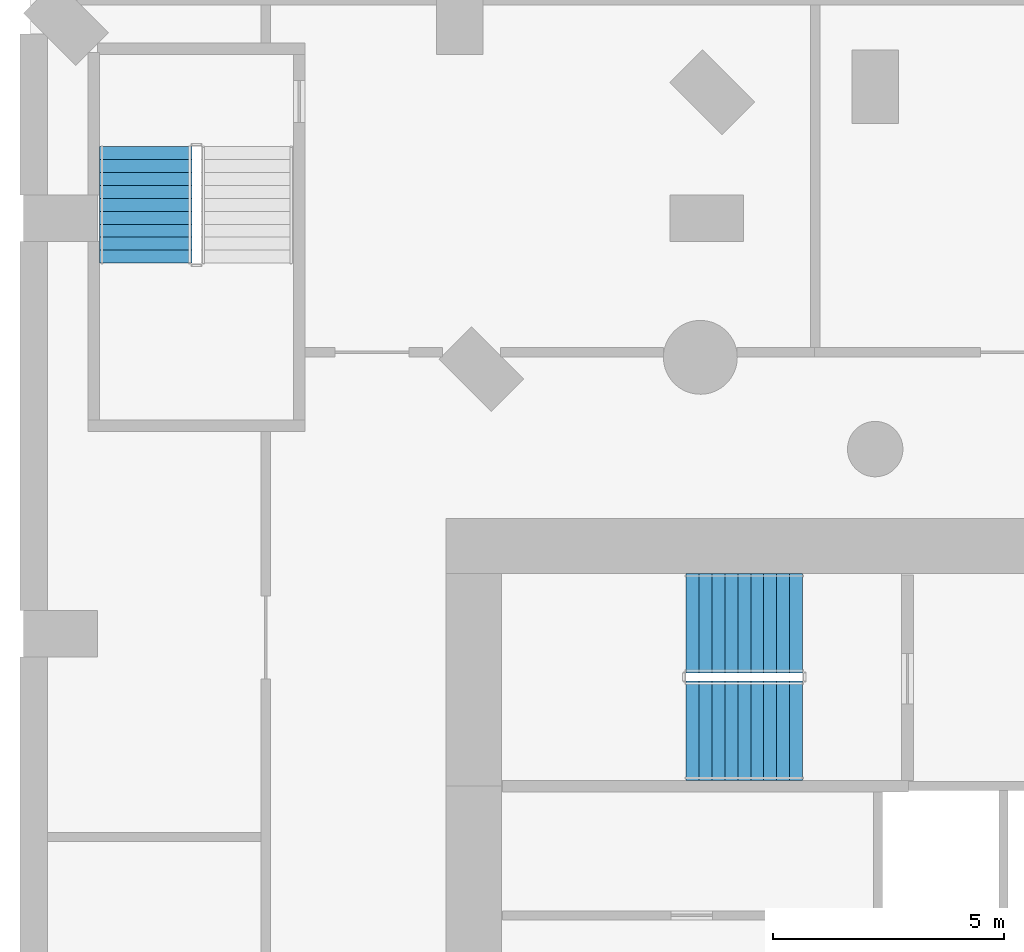
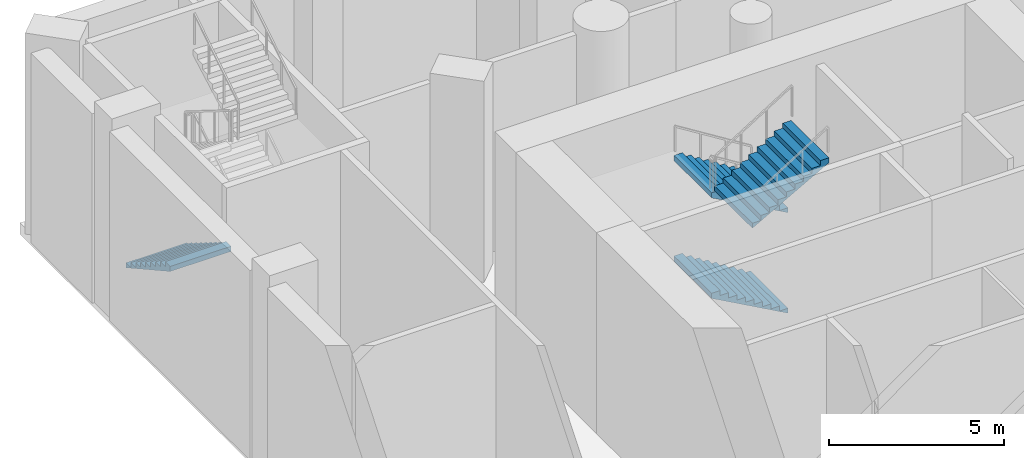
# One storey, part 14 of 21: 4 stair flights, 2 elements without a shape of their own.
"""IFC4 building model written with IfcOpenShell, lengths in metres."""

from ifc_helpers import new_model, si_unit, direction, frame, origin, place, context, subcontext, project, spatial, triangles, material, type_object, element, aggregate, save


model = new_model("IFC4")

# Units and contexts
model_context = context("Model", 3, precision=1e-05, world=origin(), true_north=direction((0.0, 1.0)))
body_context = subcontext(model_context, "Body", "Model", "MODEL_VIEW")
ifc_project = project(units=[si_unit("LENGTHUNIT", "METRE"), si_unit("AREAUNIT", "SQUARE_METRE"), si_unit("VOLUMEUNIT", "CUBIC_METRE"), si_unit("PLANEANGLEUNIT", "RADIAN"), si_unit("MASSUNIT", "GRAM", prefix="KILO")], contexts=[model_context])

# Site, building, storey
site_placement = place(None, origin())
site = spatial("IfcSite", under=ifc_project, at=site_placement, CompositionType="ELEMENT")
building_placement = place(site_placement, origin())
building = spatial("IfcBuilding", under=site, at=building_placement, Name="Cypress Arch Tower", CompositionType="ELEMENT")
storey_placement = place(building_placement, frame((0.0, 0.0, 29.0)))
storey = spatial("IfcBuildingStorey", under=building, at=storey_placement, Name="L03", CompositionType="ELEMENT", Elevation=29.0)

# Stair, stair flight
ifc_material_1 = material(Name="Concrete C40/50", Category="concrete")
stair_type_1 = type_object("IfcStairType", Name="Exit stair ES1750-200", PredefinedType="HALF_TURN_STAIR", material=ifc_material_1)
stair_1_placement = place(storey_placement, origin())
stair_1 = element("IfcStair", 1, at=stair_1_placement, inside=storey, type_object=stair_type_1, Name="L03 Exit stair P2", PredefinedType="HALF_TURN_STAIR")
ifc_material_2 = material(Name="Concrete C40/50", Category="concrete")
stair_flight_type_1 = type_object("IfcStairFlightType", Name="Exit stair flight ES1750-200", PredefinedType="STRAIGHT", material=ifc_material_2)
stair_flight_1_placement = place(storey_placement, frame((-36.5, 24.050048828125, 0.0), z_axis=(0.0, 0.0, 1.0), x_axis=(0.0, -1.0, 0.0)))
stair_flight_1 = element("IfcStairFlight", 2, at=stair_flight_1_placement, type_object=stair_flight_type_1, Name="P2 flight 1", NumberOfRisers=10, NumberOfTreads=9, PredefinedType="STRAIGHT", RiserHeight=0.175, TreadLength=0.28, context=body_context, shape_type="Tessellation", body=[
    triangles([(0.0, -1.0, 0.0), (0.000244140625, -1.0, 0.034912109375), (0.00048828125, -1.0, 0.070068359375), (0.00048828125, -1.0, 0.10498046875), (0.000244140625, -1.0, 0.14013671875), (0.0, -1.0, 0.175048828125), (0.280029296875, -1.0, 0.175048828125), (0.280029296875, -1.0, 0.35009765625), (0.56005859375, -1.0, 0.35009765625), (0.56005859375, -1.0, 0.52490234375), (0.840087890625, -1.0, 0.52490234375), (0.840087890625, -1.0, 0.699951171875), (1.1201171875, -1.0, 0.699951171875), (1.1201171875, -1.0, 0.875), (1.39990234375, -1.0, 0.875), (1.39990234375, -1.0, 1.050048828125), (1.679931640625, -1.0, 1.050048828125), (1.679931640625, -1.0, 1.22509765625), (1.9599609375, -1.0, 1.22509765625), (1.9599609375, -1.0, 1.39990234375), (2.239990234375, -1.0, 1.39990234375), (2.239990234375, -1.0, 1.574951171875), (2.52001953125, -1.0, 1.574951171875), (2.519775390625, -1.0, 1.53955078125), (2.51953125, -1.0, 1.504150390625), (2.51953125, -1.0, 1.468994140625), (2.519775390625, -1.0, 1.43359375), (2.52001953125, -1.0, 1.398193359375), (2.52001953125, 1.0, 1.398193359375), (2.519775390625, 1.0, 1.43359375), (2.51953125, 1.0, 1.468994140625), (2.51953125, 1.0, 1.504150390625), (2.519775390625, 1.0, 1.53955078125), (2.52001953125, 1.0, 1.574951171875), (2.239990234375, 1.0, 1.574951171875), (2.239990234375, 1.0, 1.39990234375), (1.9599609375, 1.0, 1.39990234375), (1.9599609375, 1.0, 1.22509765625), (1.679931640625, 1.0, 1.22509765625), (1.679931640625, 1.0, 1.050048828125), (1.39990234375, 1.0, 1.050048828125), (1.39990234375, 1.0, 0.875), (1.1201171875, 1.0, 0.875), (1.1201171875, 1.0, 0.699951171875), (0.840087890625, 1.0, 0.699951171875), (0.840087890625, 1.0, 0.52490234375), (0.56005859375, 1.0, 0.52490234375), (0.56005859375, 1.0, 0.35009765625), (0.280029296875, 1.0, 0.35009765625), (0.280029296875, 1.0, 0.175048828125), (0.0, 1.0, 0.175048828125), (0.000244140625, 1.0, 0.14013671875), (0.00048828125, 1.0, 0.10498046875), (0.00048828125, 1.0, 0.070068359375), (0.000244140625, 1.0, 0.034912109375), (0.0, 1.0, 0.0), (2.519775390625, 0.0, 1.43359375), (2.52001953125, 0.0, 1.398193359375), (2.51953125, 0.0, 1.468994140625), (2.51953125, 0.0, 1.504150390625), (2.519775390625, 0.0, 1.53955078125), (2.52001953125, 0.0, 1.574951171875), (2.239990234375, 0.0, 1.574951171875), (2.239990234375, 0.0, 1.39990234375), (1.9599609375, 0.0, 1.39990234375), (1.9599609375, 0.0, 1.22509765625), (1.679931640625, 0.0, 1.22509765625), (1.679931640625, 0.0, 1.050048828125), (1.39990234375, 0.0, 1.050048828125), (1.39990234375, 0.0, 0.875), (1.1201171875, 0.0, 0.875), (1.1201171875, 0.0, 0.699951171875), (0.840087890625, 0.0, 0.699951171875), (0.840087890625, 0.0, 0.52490234375), (0.56005859375, 0.0, 0.52490234375), (0.56005859375, 0.0, 0.35009765625), (0.280029296875, 0.0, 0.35009765625), (0.280029296875, 0.0, 0.175048828125), (0.0, 0.0, 0.175048828125), (0.000244140625, 0.0, 0.14013671875), (0.00048828125, 0.0, 0.10498046875), (0.00048828125, 0.0, 0.070068359375), (0.000244140625, 0.0, 0.034912109375), (0.0, 0.0, 0.0)], [[28, 27, 22], [27, 26, 22], [26, 25, 22], [25, 24, 22], [24, 23, 22], [15, 14, 13], [19, 18, 17], [17, 16, 15], [13, 12, 11], [9, 8, 7], [6, 5, 7], [5, 4, 7], [4, 3, 7], [3, 2, 7], [2, 1, 7], [21, 20, 19], [11, 10, 9], [28, 22, 21], [28, 21, 19], [28, 19, 17], [28, 17, 15], [28, 15, 13], [28, 13, 11], [1, 28, 11], [11, 9, 7], [11, 7, 1], [29, 35, 30], [30, 35, 31], [31, 35, 32], [32, 35, 33], [33, 35, 34], [42, 44, 43], [38, 40, 39], [40, 42, 41], [44, 46, 45], [48, 50, 49], [51, 50, 52], [52, 50, 53], [53, 50, 54], [54, 50, 55], [55, 50, 56], [36, 38, 37], [46, 48, 47], [29, 36, 35], [29, 38, 36], [29, 40, 38], [29, 42, 40], [29, 44, 42], [29, 46, 44], [56, 46, 29], [46, 50, 48], [46, 56, 50], [58, 57, 27], [58, 27, 28], [29, 30, 57], [29, 57, 58], [57, 59, 26], [57, 26, 27], [30, 31, 59], [30, 59, 57], [59, 60, 25], [59, 25, 26], [31, 32, 60], [31, 60, 59], [60, 61, 24], [60, 24, 25], [32, 33, 61], [32, 61, 60], [61, 62, 23], [61, 23, 24], [33, 34, 62], [33, 62, 61], [62, 63, 22], [62, 22, 23], [34, 35, 63], [34, 63, 62], [63, 64, 21], [63, 21, 22], [35, 36, 64], [35, 64, 63], [64, 65, 20], [64, 20, 21], [36, 37, 65], [36, 65, 64], [65, 66, 19], [65, 19, 20], [37, 38, 66], [37, 66, 65], [66, 67, 18], [66, 18, 19], [38, 39, 67], [38, 67, 66], [67, 68, 17], [67, 17, 18], [39, 40, 68], [39, 68, 67], [68, 69, 16], [68, 16, 17], [40, 41, 69], [40, 69, 68], [69, 70, 15], [69, 15, 16], [41, 42, 70], [41, 70, 69], [70, 71, 14], [70, 14, 15], [42, 43, 71], [42, 71, 70], [71, 72, 13], [71, 13, 14], [43, 44, 72], [43, 72, 71], [72, 73, 12], [72, 12, 13], [44, 45, 73], [44, 73, 72], [73, 74, 11], [73, 11, 12], [45, 46, 74], [45, 74, 73], [74, 75, 10], [74, 10, 11], [46, 47, 75], [46, 75, 74], [75, 76, 9], [75, 9, 10], [47, 48, 76], [47, 76, 75], [76, 77, 8], [76, 8, 9], [48, 49, 77], [48, 77, 76], [77, 78, 7], [77, 7, 8], [49, 50, 78], [49, 78, 77], [78, 79, 6], [78, 6, 7], [50, 51, 79], [50, 79, 78], [79, 80, 5], [79, 5, 6], [51, 52, 80], [51, 80, 79], [80, 81, 4], [80, 4, 5], [52, 53, 81], [52, 81, 80], [81, 82, 3], [81, 3, 4], [53, 54, 82], [53, 82, 81], [82, 83, 2], [82, 2, 3], [54, 55, 83], [54, 83, 82], [83, 84, 1], [83, 1, 2], [55, 56, 84], [55, 84, 83], [84, 58, 28], [84, 28, 1], [56, 29, 58], [56, 58, 84]], closed=True),
])
aggregate(stair_1, [stair_flight_1])

# Stair, stair flights
ifc_material_3 = material(Name="Concrete C40/50", Category="concrete")
stair_type_2 = type_object("IfcStairType", Name="Exit stair ES1750-215", PredefinedType="HALF_TURN_STAIR", material=ifc_material_3)
stair_2_placement = place(storey_placement, origin())
stair_2 = element("IfcStair", 3, at=stair_2_placement, inside=storey, type_object=stair_type_2, Name="L03 Exit stair B", PredefinedType="HALF_TURN_STAIR")
ifc_material_4 = material(Name="Concrete C40/50", Category="concrete")
stair_flight_type_2 = type_object("IfcStairFlightType", Name="Exit stair flight ES1750-215", PredefinedType="STRAIGHT", material=ifc_material_4)
stair_flight_2_placement = place(storey_placement, frame((-22.27490234375, 13.72509765625, 0.0), z_axis=(0.0, 0.0, 1.0), x_axis=(-1.0, 0.0, 0.0)))
stair_flight_2 = element("IfcStairFlight", 4, at=stair_flight_2_placement, type_object=stair_flight_type_2, Name="B flight 1", NumberOfRisers=10, NumberOfTreads=9, PredefinedType="STRAIGHT", RiserHeight=0.175, TreadLength=0.28, context=body_context, shape_type="Tessellation", body=[
    triangles([(0.0, -1.074951171875, 0.0), (0.000244140625, -1.074951171875, 0.01953125), (0.000244140625, -1.074951171875, 0.038818359375), (0.00048828125, -1.074951171875, 0.058349609375), (0.00048828125, -1.074951171875, 0.077880859375), (0.00048828125, -1.074951171875, 0.09716796875), (0.00048828125, -1.074951171875, 0.11669921875), (0.000244140625, -1.074951171875, 0.13623046875), (0.000244140625, -1.074951171875, 0.155517578125), (0.0, -1.074951171875, 0.175048828125), (0.280029296875, -1.074951171875, 0.175048828125), (0.280029296875, -1.074951171875, 0.35009765625), (0.56005859375, -1.074951171875, 0.35009765625), (0.56005859375, -1.074951171875, 0.52490234375), (0.840087890625, -1.074951171875, 0.52490234375), (0.840087890625, -1.074951171875, 0.699951171875), (1.1201171875, -1.074951171875, 0.699951171875), (1.1201171875, -1.074951171875, 0.875), (1.39990234375, -1.074951171875, 0.875), (1.39990234375, -1.074951171875, 1.050048828125), (1.679931640625, -1.074951171875, 1.050048828125), (1.679931640625, -1.074951171875, 1.22509765625), (1.9599609375, -1.074951171875, 1.22509765625), (1.9599609375, -1.074951171875, 1.39990234375), (2.239990234375, -1.074951171875, 1.39990234375), (2.239990234375, -1.074951171875, 1.574951171875), (2.52001953125, -1.074951171875, 1.574951171875), (2.519775390625, -1.074951171875, 1.555419921875), (2.519775390625, -1.074951171875, 1.53564453125), (2.51953125, -1.074951171875, 1.51611328125), (2.51953125, -1.074951171875, 1.496337890625), (2.51953125, -1.074951171875, 1.476806640625), (2.51953125, -1.074951171875, 1.45703125), (2.519775390625, -1.074951171875, 1.4375), (2.519775390625, -1.074951171875, 1.417724609375), (2.52001953125, -1.074951171875, 1.398193359375), (2.52001953125, 1.074951171875, 1.398193359375), (2.519775390625, 1.074951171875, 1.417724609375), (2.519775390625, 1.074951171875, 1.4375), (2.51953125, 1.074951171875, 1.45703125), (2.51953125, 1.074951171875, 1.476806640625), (2.51953125, 1.074951171875, 1.496337890625), (2.51953125, 1.074951171875, 1.51611328125), (2.519775390625, 1.074951171875, 1.53564453125), (2.519775390625, 1.074951171875, 1.555419921875), (2.52001953125, 1.074951171875, 1.574951171875), (2.239990234375, 1.074951171875, 1.574951171875), (2.239990234375, 1.074951171875, 1.39990234375), (1.9599609375, 1.074951171875, 1.39990234375), (1.9599609375, 1.074951171875, 1.22509765625), (1.679931640625, 1.074951171875, 1.22509765625), (1.679931640625, 1.074951171875, 1.050048828125), (1.39990234375, 1.074951171875, 1.050048828125), (1.39990234375, 1.074951171875, 0.875), (1.1201171875, 1.074951171875, 0.875), (1.1201171875, 1.074951171875, 0.699951171875), (0.840087890625, 1.074951171875, 0.699951171875), (0.840087890625, 1.074951171875, 0.52490234375), (0.56005859375, 1.074951171875, 0.52490234375), (0.56005859375, 1.074951171875, 0.35009765625), (0.280029296875, 1.074951171875, 0.35009765625), (0.280029296875, 1.074951171875, 0.175048828125), (0.0, 1.074951171875, 0.175048828125), (0.000244140625, 1.074951171875, 0.155517578125), (0.000244140625, 1.074951171875, 0.13623046875), (0.00048828125, 1.074951171875, 0.11669921875), (0.00048828125, 1.074951171875, 0.09716796875), (0.00048828125, 1.074951171875, 0.077880859375), (0.00048828125, 1.074951171875, 0.058349609375), (0.000244140625, 1.074951171875, 0.038818359375), (0.000244140625, 1.074951171875, 0.01953125), (0.0, 1.074951171875, 0.0), (2.519775390625, 0.0, 1.417724609375), (2.52001953125, 0.0, 1.398193359375), (2.519775390625, 0.0, 1.4375), (2.51953125, 0.0, 1.45703125), (2.51953125, 0.0, 1.476806640625), (2.51953125, 0.0, 1.496337890625), (2.51953125, 0.0, 1.51611328125), (2.519775390625, 0.0, 1.53564453125), (2.519775390625, 0.0, 1.555419921875), (2.52001953125, 0.0, 1.574951171875), (2.239990234375, 0.0, 1.574951171875), (2.239990234375, 0.0, 1.39990234375), (1.9599609375, 0.0, 1.39990234375), (1.9599609375, 0.0, 1.22509765625), (1.679931640625, 0.0, 1.22509765625), (1.679931640625, 0.0, 1.050048828125), (1.39990234375, 0.0, 1.050048828125), (1.39990234375, 0.0, 0.875), (1.1201171875, 0.0, 0.875), (1.1201171875, 0.0, 0.699951171875), (0.840087890625, 0.0, 0.699951171875), (0.840087890625, 0.0, 0.52490234375), (0.56005859375, 0.0, 0.52490234375), (0.56005859375, 0.0, 0.35009765625), (0.280029296875, 0.0, 0.35009765625), (0.280029296875, 0.0, 0.175048828125), (0.0, 0.0, 0.175048828125), (0.000244140625, 0.0, 0.155517578125), (0.000244140625, 0.0, 0.13623046875), (0.00048828125, 0.0, 0.11669921875), (0.00048828125, 0.0, 0.09716796875), (0.00048828125, 0.0, 0.077880859375), (0.00048828125, 0.0, 0.058349609375), (0.000244140625, 0.0, 0.038818359375), (0.000244140625, 0.0, 0.01953125), (0.0, 0.0, 0.0)], [[36, 35, 26], [35, 34, 26], [34, 33, 26], [33, 32, 26], [32, 31, 26], [31, 30, 26], [30, 29, 26], [29, 28, 26], [28, 27, 26], [19, 18, 17], [23, 22, 21], [21, 20, 19], [17, 16, 15], [13, 12, 11], [10, 9, 11], [9, 8, 11], [8, 7, 11], [7, 6, 11], [6, 5, 11], [5, 4, 11], [4, 3, 11], [3, 2, 11], [2, 1, 11], [25, 24, 23], [15, 14, 13], [36, 26, 25], [36, 25, 23], [36, 23, 21], [36, 21, 19], [36, 19, 17], [36, 17, 15], [1, 36, 15], [15, 13, 11], [15, 11, 1], [37, 47, 38], [38, 47, 39], [39, 47, 40], [40, 47, 41], [41, 47, 42], [42, 47, 43], [43, 47, 44], [44, 47, 45], [45, 47, 46], [54, 56, 55], [50, 52, 51], [52, 54, 53], [56, 58, 57], [60, 62, 61], [63, 62, 64], [64, 62, 65], [65, 62, 66], [66, 62, 67], [67, 62, 68], [68, 62, 69], [69, 62, 70], [70, 62, 71], [71, 62, 72], [48, 50, 49], [58, 60, 59], [37, 48, 47], [37, 50, 48], [37, 52, 50], [37, 54, 52], [37, 56, 54], [37, 58, 56], [72, 58, 37], [58, 62, 60], [58, 72, 62], [74, 73, 35], [74, 35, 36], [37, 38, 73], [37, 73, 74], [73, 75, 34], [73, 34, 35], [38, 39, 75], [38, 75, 73], [75, 76, 33], [75, 33, 34], [39, 40, 76], [39, 76, 75], [76, 77, 32], [76, 32, 33], [40, 41, 77], [40, 77, 76], [77, 78, 31], [77, 31, 32], [41, 42, 78], [41, 78, 77], [78, 79, 30], [78, 30, 31], [42, 43, 79], [42, 79, 78], [79, 80, 29], [79, 29, 30], [43, 44, 80], [43, 80, 79], [80, 81, 28], [80, 28, 29], [44, 45, 81], [44, 81, 80], [81, 82, 27], [81, 27, 28], [45, 46, 82], [45, 82, 81], [82, 83, 26], [82, 26, 27], [46, 47, 83], [46, 83, 82], [83, 84, 25], [83, 25, 26], [47, 48, 84], [47, 84, 83], [84, 85, 24], [84, 24, 25], [48, 49, 85], [48, 85, 84], [85, 86, 23], [85, 23, 24], [49, 50, 86], [49, 86, 85], [86, 87, 22], [86, 22, 23], [50, 51, 87], [50, 87, 86], [87, 88, 21], [87, 21, 22], [51, 52, 88], [51, 88, 87], [88, 89, 20], [88, 20, 21], [52, 53, 89], [52, 89, 88], [89, 90, 19], [89, 19, 20], [53, 54, 90], [53, 90, 89], [90, 91, 18], [90, 18, 19], [54, 55, 91], [54, 91, 90], [91, 92, 17], [91, 17, 18], [55, 56, 92], [55, 92, 91], [92, 93, 16], [92, 16, 17], [56, 57, 93], [56, 93, 92], [93, 94, 15], [93, 15, 16], [57, 58, 94], [57, 94, 93], [94, 95, 14], [94, 14, 15], [58, 59, 95], [58, 95, 94], [95, 96, 13], [95, 13, 14], [59, 60, 96], [59, 96, 95], [96, 97, 12], [96, 12, 13], [60, 61, 97], [60, 97, 96], [97, 98, 11], [97, 11, 12], [61, 62, 98], [61, 98, 97], [98, 99, 10], [98, 10, 11], [62, 63, 99], [62, 99, 98], [99, 100, 9], [99, 9, 10], [63, 64, 100], [63, 100, 99], [100, 101, 8], [100, 8, 9], [64, 65, 101], [64, 101, 100], [101, 102, 7], [101, 7, 8], [65, 66, 102], [65, 102, 101], [102, 103, 6], [102, 6, 7], [66, 67, 103], [66, 103, 102], [103, 104, 5], [103, 5, 6], [67, 68, 104], [67, 104, 103], [104, 105, 4], [104, 4, 5], [68, 69, 105], [68, 105, 104], [105, 106, 3], [105, 3, 4], [69, 70, 106], [69, 106, 105], [106, 107, 2], [106, 2, 3], [70, 71, 107], [70, 107, 106], [107, 108, 1], [107, 1, 2], [71, 72, 108], [71, 108, 107], [108, 74, 36], [108, 36, 1], [72, 37, 74], [72, 74, 108]], closed=True),
])
stair_flight_3_placement = place(storey_placement, frame((-22.27490234375, 13.72509765625, 3.5), z_axis=(0.0, 0.0, 1.0), x_axis=(-1.0, 0.0, 0.0)))
stair_flight_3 = element("IfcStairFlight", 5, at=stair_flight_3_placement, type_object=stair_flight_type_2, Name="B flight 3", NumberOfRisers=10, NumberOfTreads=9, PredefinedType="STRAIGHT", RiserHeight=0.175, TreadLength=0.28, context=body_context, shape_type="Tessellation", body=[
    triangles([(0.0, -1.074951171875, 0.0), (0.000244140625, -1.074951171875, 0.01953125), (0.000244140625, -1.074951171875, 0.038818359375), (0.00048828125, -1.074951171875, 0.058349609375), (0.00048828125, -1.074951171875, 0.077880859375), (0.00048828125, -1.074951171875, 0.09716796875), (0.00048828125, -1.074951171875, 0.11669921875), (0.000244140625, -1.074951171875, 0.13623046875), (0.000244140625, -1.074951171875, 0.155517578125), (0.0, -1.074951171875, 0.175048828125), (0.280029296875, -1.074951171875, 0.175048828125), (0.280029296875, -1.074951171875, 0.35009765625), (0.56005859375, -1.074951171875, 0.35009765625), (0.56005859375, -1.074951171875, 0.52490234375), (0.840087890625, -1.074951171875, 0.52490234375), (0.840087890625, -1.074951171875, 0.699951171875), (1.1201171875, -1.074951171875, 0.699951171875), (1.1201171875, -1.074951171875, 0.875), (1.39990234375, -1.074951171875, 0.875), (1.39990234375, -1.074951171875, 1.050048828125), (1.679931640625, -1.074951171875, 1.050048828125), (1.679931640625, -1.074951171875, 1.22509765625), (1.9599609375, -1.074951171875, 1.22509765625), (1.9599609375, -1.074951171875, 1.39990234375), (2.239990234375, -1.074951171875, 1.39990234375), (2.239990234375, -1.074951171875, 1.574951171875), (2.52001953125, -1.074951171875, 1.574951171875), (2.519775390625, -1.074951171875, 1.555419921875), (2.519775390625, -1.074951171875, 1.53564453125), (2.51953125, -1.074951171875, 1.51611328125), (2.51953125, -1.074951171875, 1.496337890625), (2.51953125, -1.074951171875, 1.476806640625), (2.51953125, -1.074951171875, 1.45703125), (2.519775390625, -1.074951171875, 1.4375), (2.519775390625, -1.074951171875, 1.417724609375), (2.52001953125, -1.074951171875, 1.398193359375), (2.52001953125, 1.074951171875, 1.398193359375), (2.519775390625, 1.074951171875, 1.417724609375), (2.519775390625, 1.074951171875, 1.4375), (2.51953125, 1.074951171875, 1.45703125), (2.51953125, 1.074951171875, 1.476806640625), (2.51953125, 1.074951171875, 1.496337890625), (2.51953125, 1.074951171875, 1.51611328125), (2.519775390625, 1.074951171875, 1.53564453125), (2.519775390625, 1.074951171875, 1.555419921875), (2.52001953125, 1.074951171875, 1.574951171875), (2.239990234375, 1.074951171875, 1.574951171875), (2.239990234375, 1.074951171875, 1.39990234375), (1.9599609375, 1.074951171875, 1.39990234375), (1.9599609375, 1.074951171875, 1.22509765625), (1.679931640625, 1.074951171875, 1.22509765625), (1.679931640625, 1.074951171875, 1.050048828125), (1.39990234375, 1.074951171875, 1.050048828125), (1.39990234375, 1.074951171875, 0.875), (1.1201171875, 1.074951171875, 0.875), (1.1201171875, 1.074951171875, 0.699951171875), (0.840087890625, 1.074951171875, 0.699951171875), (0.840087890625, 1.074951171875, 0.52490234375), (0.56005859375, 1.074951171875, 0.52490234375), (0.56005859375, 1.074951171875, 0.35009765625), (0.280029296875, 1.074951171875, 0.35009765625), (0.280029296875, 1.074951171875, 0.175048828125), (0.0, 1.074951171875, 0.175048828125), (0.000244140625, 1.074951171875, 0.155517578125), (0.000244140625, 1.074951171875, 0.13623046875), (0.00048828125, 1.074951171875, 0.11669921875), (0.00048828125, 1.074951171875, 0.09716796875), (0.00048828125, 1.074951171875, 0.077880859375), (0.00048828125, 1.074951171875, 0.058349609375), (0.000244140625, 1.074951171875, 0.038818359375), (0.000244140625, 1.074951171875, 0.01953125), (0.0, 1.074951171875, 0.0), (2.519775390625, 0.0, 1.417724609375), (2.52001953125, 0.0, 1.398193359375), (2.519775390625, 0.0, 1.4375), (2.51953125, 0.0, 1.45703125), (2.51953125, 0.0, 1.476806640625), (2.51953125, 0.0, 1.496337890625), (2.51953125, 0.0, 1.51611328125), (2.519775390625, 0.0, 1.53564453125), (2.519775390625, 0.0, 1.555419921875), (2.52001953125, 0.0, 1.574951171875), (2.239990234375, 0.0, 1.574951171875), (2.239990234375, 0.0, 1.39990234375), (1.9599609375, 0.0, 1.39990234375), (1.9599609375, 0.0, 1.22509765625), (1.679931640625, 0.0, 1.22509765625), (1.679931640625, 0.0, 1.050048828125), (1.39990234375, 0.0, 1.050048828125), (1.39990234375, 0.0, 0.875), (1.1201171875, 0.0, 0.875), (1.1201171875, 0.0, 0.699951171875), (0.840087890625, 0.0, 0.699951171875), (0.840087890625, 0.0, 0.52490234375), (0.56005859375, 0.0, 0.52490234375), (0.56005859375, 0.0, 0.35009765625), (0.280029296875, 0.0, 0.35009765625), (0.280029296875, 0.0, 0.175048828125), (0.0, 0.0, 0.175048828125), (0.000244140625, 0.0, 0.155517578125), (0.000244140625, 0.0, 0.13623046875), (0.00048828125, 0.0, 0.11669921875), (0.00048828125, 0.0, 0.09716796875), (0.00048828125, 0.0, 0.077880859375), (0.00048828125, 0.0, 0.058349609375), (0.000244140625, 0.0, 0.038818359375), (0.000244140625, 0.0, 0.01953125), (0.0, 0.0, 0.0)], [[36, 35, 26], [35, 34, 26], [34, 33, 26], [33, 32, 26], [32, 31, 26], [31, 30, 26], [30, 29, 26], [29, 28, 26], [28, 27, 26], [19, 18, 17], [23, 22, 21], [21, 20, 19], [17, 16, 15], [13, 12, 11], [10, 9, 11], [9, 8, 11], [8, 7, 11], [7, 6, 11], [6, 5, 11], [5, 4, 11], [4, 3, 11], [3, 2, 11], [2, 1, 11], [25, 24, 23], [15, 14, 13], [36, 26, 25], [36, 25, 23], [36, 23, 21], [36, 21, 19], [36, 19, 17], [36, 17, 15], [1, 36, 15], [15, 13, 11], [15, 11, 1], [37, 47, 38], [38, 47, 39], [39, 47, 40], [40, 47, 41], [41, 47, 42], [42, 47, 43], [43, 47, 44], [44, 47, 45], [45, 47, 46], [54, 56, 55], [50, 52, 51], [52, 54, 53], [56, 58, 57], [60, 62, 61], [63, 62, 64], [64, 62, 65], [65, 62, 66], [66, 62, 67], [67, 62, 68], [68, 62, 69], [69, 62, 70], [70, 62, 71], [71, 62, 72], [48, 50, 49], [58, 60, 59], [37, 48, 47], [37, 50, 48], [37, 52, 50], [37, 54, 52], [37, 56, 54], [37, 58, 56], [72, 58, 37], [58, 62, 60], [58, 72, 62], [74, 73, 35], [74, 35, 36], [37, 38, 73], [37, 73, 74], [73, 75, 34], [73, 34, 35], [38, 39, 75], [38, 75, 73], [75, 76, 33], [75, 33, 34], [39, 40, 76], [39, 76, 75], [76, 77, 32], [76, 32, 33], [40, 41, 77], [40, 77, 76], [77, 78, 31], [77, 31, 32], [41, 42, 78], [41, 78, 77], [78, 79, 30], [78, 30, 31], [42, 43, 79], [42, 79, 78], [79, 80, 29], [79, 29, 30], [43, 44, 80], [43, 80, 79], [80, 81, 28], [80, 28, 29], [44, 45, 81], [44, 81, 80], [81, 82, 27], [81, 27, 28], [45, 46, 82], [45, 82, 81], [82, 83, 26], [82, 26, 27], [46, 47, 83], [46, 83, 82], [83, 84, 25], [83, 25, 26], [47, 48, 84], [47, 84, 83], [84, 85, 24], [84, 24, 25], [48, 49, 85], [48, 85, 84], [85, 86, 23], [85, 23, 24], [49, 50, 86], [49, 86, 85], [86, 87, 22], [86, 22, 23], [50, 51, 87], [50, 87, 86], [87, 88, 21], [87, 21, 22], [51, 52, 88], [51, 88, 87], [88, 89, 20], [88, 20, 21], [52, 53, 89], [52, 89, 88], [89, 90, 19], [89, 19, 20], [53, 54, 90], [53, 90, 89], [90, 91, 18], [90, 18, 19], [54, 55, 91], [54, 91, 90], [91, 92, 17], [91, 17, 18], [55, 56, 92], [55, 92, 91], [92, 93, 16], [92, 16, 17], [56, 57, 93], [56, 93, 92], [93, 94, 15], [93, 15, 16], [57, 58, 94], [57, 94, 93], [94, 95, 14], [94, 14, 15], [58, 59, 95], [58, 95, 94], [95, 96, 13], [95, 13, 14], [59, 60, 96], [59, 96, 95], [96, 97, 12], [96, 12, 13], [60, 61, 97], [60, 97, 96], [97, 98, 11], [97, 11, 12], [61, 62, 98], [61, 98, 97], [98, 99, 10], [98, 10, 11], [62, 63, 99], [62, 99, 98], [99, 100, 9], [99, 9, 10], [63, 64, 100], [63, 100, 99], [100, 101, 8], [100, 8, 9], [64, 65, 101], [64, 101, 100], [101, 102, 7], [101, 7, 8], [65, 66, 102], [65, 102, 101], [102, 103, 6], [102, 6, 7], [66, 67, 103], [66, 103, 102], [103, 104, 5], [103, 5, 6], [67, 68, 104], [67, 104, 103], [104, 105, 4], [104, 4, 5], [68, 69, 105], [68, 105, 104], [105, 106, 3], [105, 3, 4], [69, 70, 106], [69, 106, 105], [106, 107, 2], [106, 2, 3], [70, 71, 107], [70, 107, 106], [107, 108, 1], [107, 1, 2], [71, 72, 108], [71, 108, 107], [108, 74, 36], [108, 36, 1], [72, 37, 74], [72, 74, 108]], closed=True),
])
stair_flight_4_placement = place(storey_placement, frame((-24.794921875, 11.39990234375, 5.25), z_axis=(0.0, 0.0, 1.0), x_axis=(1.0, 0.0, 0.0)))
stair_flight_4 = element("IfcStairFlight", 6, at=stair_flight_4_placement, type_object=stair_flight_type_2, Name="B flight 4", NumberOfRisers=10, NumberOfTreads=9, PredefinedType="STRAIGHT", RiserHeight=0.175, TreadLength=0.28, context=body_context, shape_type="Tessellation", body=[
    triangles([(0.0, -1.074951171875, 0.0), (0.000244140625, -1.074951171875, 0.01953125), (0.000244140625, -1.074951171875, 0.038818359375), (0.00048828125, -1.074951171875, 0.058349609375), (0.00048828125, -1.074951171875, 0.077880859375), (0.00048828125, -1.074951171875, 0.09716796875), (0.00048828125, -1.074951171875, 0.11669921875), (0.000244140625, -1.074951171875, 0.13623046875), (0.000244140625, -1.074951171875, 0.155517578125), (0.0, -1.074951171875, 0.175048828125), (0.280029296875, -1.074951171875, 0.175048828125), (0.280029296875, -1.074951171875, 0.35009765625), (0.56005859375, -1.074951171875, 0.35009765625), (0.56005859375, -1.074951171875, 0.52490234375), (0.840087890625, -1.074951171875, 0.52490234375), (0.840087890625, -1.074951171875, 0.699951171875), (1.1201171875, -1.074951171875, 0.699951171875), (1.1201171875, -1.074951171875, 0.875), (1.39990234375, -1.074951171875, 0.875), (1.39990234375, -1.074951171875, 1.050048828125), (1.679931640625, -1.074951171875, 1.050048828125), (1.679931640625, -1.074951171875, 1.22509765625), (1.9599609375, -1.074951171875, 1.22509765625), (1.9599609375, -1.074951171875, 1.39990234375), (2.239990234375, -1.074951171875, 1.39990234375), (2.239990234375, -1.074951171875, 1.574951171875), (2.52001953125, -1.074951171875, 1.574951171875), (2.519775390625, -1.074951171875, 1.555419921875), (2.519775390625, -1.074951171875, 1.53564453125), (2.51953125, -1.074951171875, 1.51611328125), (2.51953125, -1.074951171875, 1.496337890625), (2.51953125, -1.074951171875, 1.476806640625), (2.51953125, -1.074951171875, 1.45703125), (2.519775390625, -1.074951171875, 1.4375), (2.519775390625, -1.074951171875, 1.417724609375), (2.52001953125, -1.074951171875, 1.398193359375), (2.52001953125, 1.074951171875, 1.398193359375), (2.519775390625, 1.074951171875, 1.417724609375), (2.519775390625, 1.074951171875, 1.4375), (2.51953125, 1.074951171875, 1.45703125), (2.51953125, 1.074951171875, 1.476806640625), (2.51953125, 1.074951171875, 1.496337890625), (2.51953125, 1.074951171875, 1.51611328125), (2.519775390625, 1.074951171875, 1.53564453125), (2.519775390625, 1.074951171875, 1.555419921875), (2.52001953125, 1.074951171875, 1.574951171875), (2.239990234375, 1.074951171875, 1.574951171875), (2.239990234375, 1.074951171875, 1.39990234375), (1.9599609375, 1.074951171875, 1.39990234375), (1.9599609375, 1.074951171875, 1.22509765625), (1.679931640625, 1.074951171875, 1.22509765625), (1.679931640625, 1.074951171875, 1.050048828125), (1.39990234375, 1.074951171875, 1.050048828125), (1.39990234375, 1.074951171875, 0.875), (1.1201171875, 1.074951171875, 0.875), (1.1201171875, 1.074951171875, 0.699951171875), (0.840087890625, 1.074951171875, 0.699951171875), (0.840087890625, 1.074951171875, 0.52490234375), (0.56005859375, 1.074951171875, 0.52490234375), (0.56005859375, 1.074951171875, 0.35009765625), (0.280029296875, 1.074951171875, 0.35009765625), (0.280029296875, 1.074951171875, 0.175048828125), (0.0, 1.074951171875, 0.175048828125), (0.000244140625, 1.074951171875, 0.155517578125), (0.000244140625, 1.074951171875, 0.13623046875), (0.00048828125, 1.074951171875, 0.11669921875), (0.00048828125, 1.074951171875, 0.09716796875), (0.00048828125, 1.074951171875, 0.077880859375), (0.00048828125, 1.074951171875, 0.058349609375), (0.000244140625, 1.074951171875, 0.038818359375), (0.000244140625, 1.074951171875, 0.01953125), (0.0, 1.074951171875, 0.0), (2.519775390625, 0.0, 1.417724609375), (2.52001953125, 0.0, 1.398193359375), (2.519775390625, 0.0, 1.4375), (2.51953125, 0.0, 1.45703125), (2.51953125, 0.0, 1.476806640625), (2.51953125, 0.0, 1.496337890625), (2.51953125, 0.0, 1.51611328125), (2.519775390625, 0.0, 1.53564453125), (2.519775390625, 0.0, 1.555419921875), (2.52001953125, 0.0, 1.574951171875), (2.239990234375, 0.0, 1.574951171875), (2.239990234375, 0.0, 1.39990234375), (1.9599609375, 0.0, 1.39990234375), (1.9599609375, 0.0, 1.22509765625), (1.679931640625, 0.0, 1.22509765625), (1.679931640625, 0.0, 1.050048828125), (1.39990234375, 0.0, 1.050048828125), (1.39990234375, 0.0, 0.875), (1.1201171875, 0.0, 0.875), (1.1201171875, 0.0, 0.699951171875), (0.840087890625, 0.0, 0.699951171875), (0.840087890625, 0.0, 0.52490234375), (0.56005859375, 0.0, 0.52490234375), (0.56005859375, 0.0, 0.35009765625), (0.280029296875, 0.0, 0.35009765625), (0.280029296875, 0.0, 0.175048828125), (0.0, 0.0, 0.175048828125), (0.000244140625, 0.0, 0.155517578125), (0.000244140625, 0.0, 0.13623046875), (0.00048828125, 0.0, 0.11669921875), (0.00048828125, 0.0, 0.09716796875), (0.00048828125, 0.0, 0.077880859375), (0.00048828125, 0.0, 0.058349609375), (0.000244140625, 0.0, 0.038818359375), (0.000244140625, 0.0, 0.01953125), (0.0, 0.0, 0.0)], [[36, 35, 26], [35, 34, 26], [34, 33, 26], [33, 32, 26], [32, 31, 26], [31, 30, 26], [30, 29, 26], [29, 28, 26], [28, 27, 26], [19, 18, 17], [23, 22, 21], [21, 20, 19], [17, 16, 15], [13, 12, 11], [10, 9, 11], [9, 8, 11], [8, 7, 11], [7, 6, 11], [6, 5, 11], [5, 4, 11], [4, 3, 11], [3, 2, 11], [2, 1, 11], [25, 24, 23], [15, 14, 13], [36, 26, 25], [36, 25, 23], [36, 23, 21], [36, 21, 19], [36, 19, 17], [36, 17, 15], [1, 36, 15], [15, 13, 11], [15, 11, 1], [37, 47, 38], [38, 47, 39], [39, 47, 40], [40, 47, 41], [41, 47, 42], [42, 47, 43], [43, 47, 44], [44, 47, 45], [45, 47, 46], [54, 56, 55], [50, 52, 51], [52, 54, 53], [56, 58, 57], [60, 62, 61], [63, 62, 64], [64, 62, 65], [65, 62, 66], [66, 62, 67], [67, 62, 68], [68, 62, 69], [69, 62, 70], [70, 62, 71], [71, 62, 72], [48, 50, 49], [58, 60, 59], [37, 48, 47], [37, 50, 48], [37, 52, 50], [37, 54, 52], [37, 56, 54], [37, 58, 56], [72, 58, 37], [58, 62, 60], [58, 72, 62], [74, 73, 35], [74, 35, 36], [37, 38, 73], [37, 73, 74], [73, 75, 34], [73, 34, 35], [38, 39, 75], [38, 75, 73], [75, 76, 33], [75, 33, 34], [39, 40, 76], [39, 76, 75], [76, 77, 32], [76, 32, 33], [40, 41, 77], [40, 77, 76], [77, 78, 31], [77, 31, 32], [41, 42, 78], [41, 78, 77], [78, 79, 30], [78, 30, 31], [42, 43, 79], [42, 79, 78], [79, 80, 29], [79, 29, 30], [43, 44, 80], [43, 80, 79], [80, 81, 28], [80, 28, 29], [44, 45, 81], [44, 81, 80], [81, 82, 27], [81, 27, 28], [45, 46, 82], [45, 82, 81], [82, 83, 26], [82, 26, 27], [46, 47, 83], [46, 83, 82], [83, 84, 25], [83, 25, 26], [47, 48, 84], [47, 84, 83], [84, 85, 24], [84, 24, 25], [48, 49, 85], [48, 85, 84], [85, 86, 23], [85, 23, 24], [49, 50, 86], [49, 86, 85], [86, 87, 22], [86, 22, 23], [50, 51, 87], [50, 87, 86], [87, 88, 21], [87, 21, 22], [51, 52, 88], [51, 88, 87], [88, 89, 20], [88, 20, 21], [52, 53, 89], [52, 89, 88], [89, 90, 19], [89, 19, 20], [53, 54, 90], [53, 90, 89], [90, 91, 18], [90, 18, 19], [54, 55, 91], [54, 91, 90], [91, 92, 17], [91, 17, 18], [55, 56, 92], [55, 92, 91], [92, 93, 16], [92, 16, 17], [56, 57, 93], [56, 93, 92], [93, 94, 15], [93, 15, 16], [57, 58, 94], [57, 94, 93], [94, 95, 14], [94, 14, 15], [58, 59, 95], [58, 95, 94], [95, 96, 13], [95, 13, 14], [59, 60, 96], [59, 96, 95], [96, 97, 12], [96, 12, 13], [60, 61, 97], [60, 97, 96], [97, 98, 11], [97, 11, 12], [61, 62, 98], [61, 98, 97], [98, 99, 10], [98, 10, 11], [62, 63, 99], [62, 99, 98], [99, 100, 9], [99, 9, 10], [63, 64, 100], [63, 100, 99], [100, 101, 8], [100, 8, 9], [64, 65, 101], [64, 101, 100], [101, 102, 7], [101, 7, 8], [65, 66, 102], [65, 102, 101], [102, 103, 6], [102, 6, 7], [66, 67, 103], [66, 103, 102], [103, 104, 5], [103, 5, 6], [67, 68, 104], [67, 104, 103], [104, 105, 4], [104, 4, 5], [68, 69, 105], [68, 105, 104], [105, 106, 3], [105, 3, 4], [69, 70, 106], [69, 106, 105], [106, 107, 2], [106, 2, 3], [70, 71, 107], [70, 107, 106], [107, 108, 1], [107, 1, 2], [71, 72, 108], [71, 108, 107], [108, 74, 36], [108, 36, 1], [72, 37, 74], [72, 74, 108]], closed=True),
])
aggregate(stair_2, [stair_flight_2, stair_flight_3, stair_flight_4])

save(model, "model.ifc")
